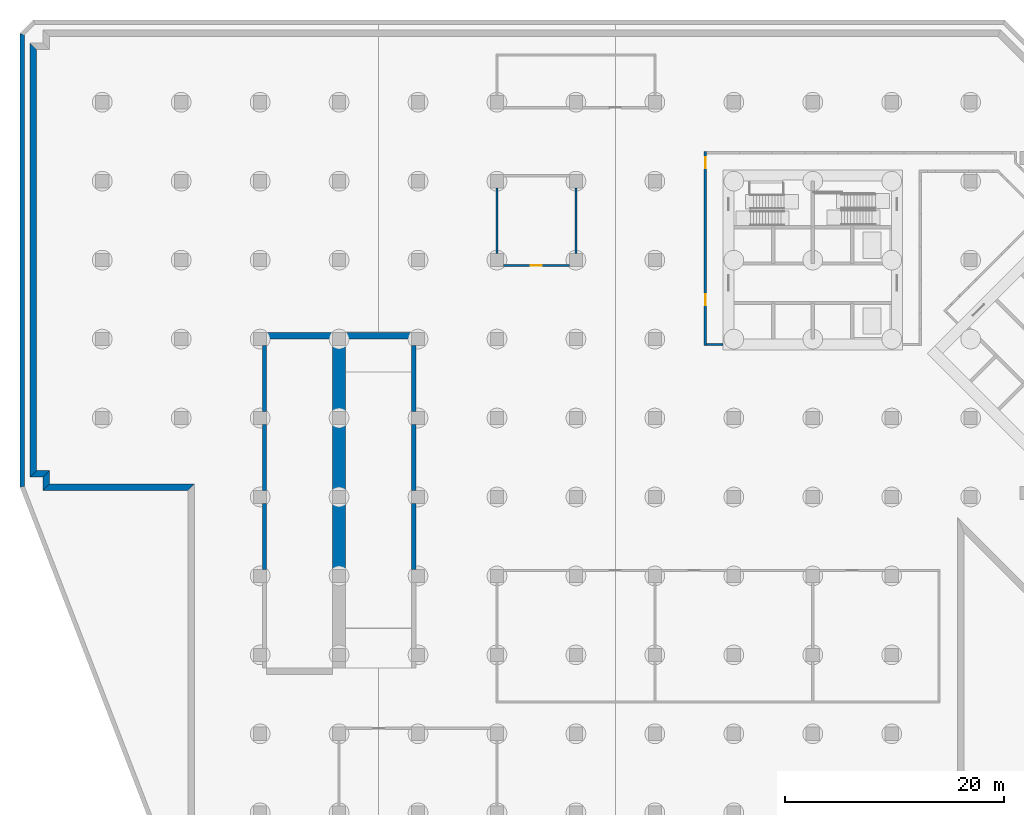
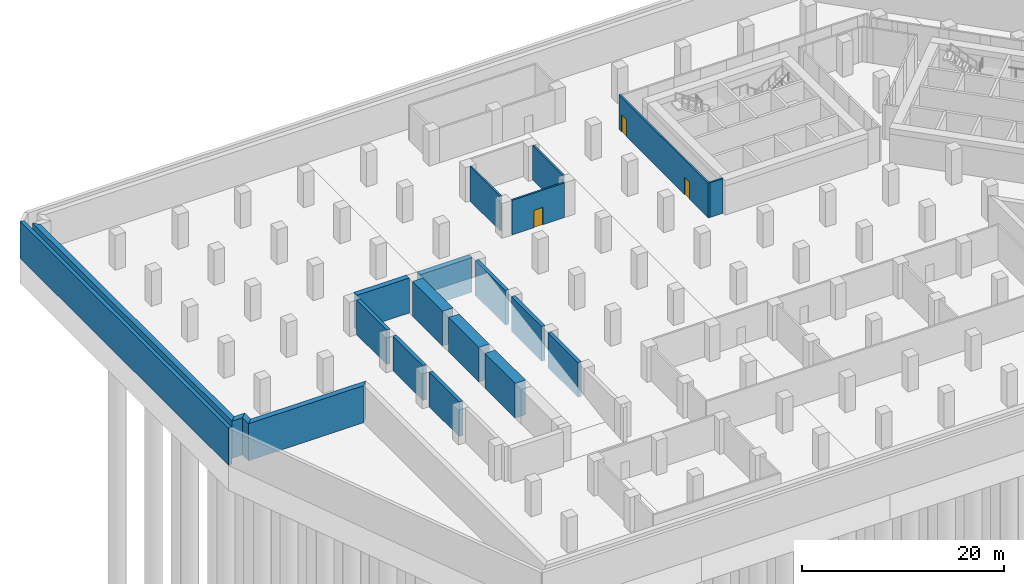
# One storey, part 4 of 12: 21 walls, 3 doors, 3 openings.
"""IFC4 building model written with IfcOpenShell, lengths in metres."""

from ifc_helpers import new_model, si_unit, direction, frame, frame_2d, origin, place, context, subcontext, project, spatial, polyline, rectangle, outline, extrude, material, layer, layer_set, type_object, element, fill, save


model = new_model("IFC4")

# Units and contexts
model_context = context("Model", 3, precision=1e-05, world=origin(), true_north=direction((0.0, 1.0)))
body_context = subcontext(model_context, "Body", "Model", "MODEL_VIEW")
ifc_project = project(units=[si_unit("LENGTHUNIT", "METRE"), si_unit("AREAUNIT", "SQUARE_METRE"), si_unit("VOLUMEUNIT", "CUBIC_METRE"), si_unit("PLANEANGLEUNIT", "RADIAN"), si_unit("MASSUNIT", "GRAM", prefix="KILO")], contexts=[model_context])

# Site, building, storey
site_placement = place(None, origin())
site = spatial("IfcSite", under=ifc_project, at=site_placement, CompositionType="ELEMENT")
building_placement = place(site_placement, origin())
building = spatial("IfcBuilding", under=site, at=building_placement, Name="Windrow Commons", CompositionType="ELEMENT")
storey_placement = place(building_placement, frame((0.0, 0.0, -9.0)))
storey = spatial("IfcBuildingStorey", under=building, at=storey_placement, Name="B2", CompositionType="ELEMENT", Elevation=-9.0)

# Wall, openings, doors
ifc_material_1 = material(Name="Blockwork partition", Category="masonry")
ifc_layer_1 = layer(ifc_material_1, 0.2)
ifc_layer_set_1 = layer_set([ifc_layer_1], Name="CP-PART-200")
wall_type_1 = type_object("IfcWallType", Name="CP-PART-200", PredefinedType="PARTITIONING", material=ifc_layer_set_1)
wall_1_placement = place(storey_placement, frame((55.0, 49.8, 0.0), z_axis=(0.0, 0.0, 1.0), x_axis=(0.0, 1.0, 0.0)))
wall_1 = element("IfcWall", 1, at=wall_1_placement, inside=storey, type_object=wall_type_1, Name="Escape corridor west wall", PredefinedType="PARTITIONING", context=body_context, shape_type="SweptSolid", body=[
    extrude(rectangle(XDim=17.7, YDim=0.2, at=frame_2d((8.85, 0.0))), origin(), (0.0, 0.0, 1.0), 4.2),
])
opening_1_placement = place(wall_1_placement, frame((16.2, 0.0, 0.0)))
opening_1 = element("IfcOpeningElement", 2, at=opening_1_placement, cuts=wall_1, Name="Opening B2-D90", PredefinedType="OPENING", context=body_context, shape_type="SweptSolid", body=[
    extrude(rectangle(XDim=1.0, YDim=2.1, at=frame_2d((0.5, 1.05))), frame((0.0, 0.11, 0.0), z_axis=(0.0, -1.0, 0.0), x_axis=(1.0, 0.0, 0.0)), (0.0, 0.0, 1.0), 0.22),
])
opening_2_placement = place(wall_1_placement, frame((3.7, 0.0, 0.0)))
opening_2 = element("IfcOpeningElement", 3, at=opening_2_placement, cuts=wall_1, Name="Opening B2-D91", PredefinedType="OPENING", context=body_context, shape_type="SweptSolid", body=[
    extrude(rectangle(XDim=1.0, YDim=2.1, at=frame_2d((0.5, 1.05))), frame((0.0, 0.11, 0.0), z_axis=(0.0, -1.0, 0.0), x_axis=(1.0, 0.0, 0.0)), (0.0, 0.0, 1.0), 0.22),
])
ifc_material_2 = material(Name="Steel fire door leaf", Category="steel")
door_type = type_object("IfcDoorType", Name="CP-DOOR-1000", OperationType="SINGLE_SWING_LEFT", PredefinedType="DOOR", material=ifc_material_2)
door_1_placement = place(opening_1_placement, origin())
door_1 = element("IfcDoor", 4, at=door_1_placement, inside=storey, type_object=door_type, Name="D-B2-ESC-WEST", OperationType="SINGLE_SWING_LEFT", OverallHeight=2.1, OverallWidth=1.0, PredefinedType="DOOR", context=body_context, shape_type="SweptSolid", body=[
    extrude(rectangle(XDim=1.0, YDim=2.1, at=frame_2d((0.5, 1.05))), frame((0.0, 0.025, 0.0), z_axis=(0.0, -1.0, 0.0), x_axis=(1.0, 0.0, 0.0)), (0.0, 0.0, 1.0), 0.05),
])
fill(opening_1, door_1)
door_2_placement = place(opening_2_placement, origin())
door_2 = element("IfcDoor", 5, at=door_2_placement, inside=storey, type_object=door_type, Name="D-B2-ESC-WEST2", OperationType="SINGLE_SWING_RIGHT", OverallHeight=2.1, OverallWidth=1.0, PredefinedType="DOOR", context=body_context, shape_type="SweptSolid", body=[
    extrude(rectangle(XDim=1.0, YDim=2.1, at=frame_2d((0.5, 1.05))), frame((0.0, 0.025, 0.0), z_axis=(0.0, -1.0, 0.0), x_axis=(1.0, 0.0, 0.0)), (0.0, 0.0, 1.0), 0.05),
])
fill(opening_2, door_2)

# Walls
wall_2_placement = place(storey_placement, frame((55.1, 49.9, 0.0), z_axis=(0.0, 0.0, 1.0), x_axis=(1.0, 0.0, 0.0)))
element("IfcWall", 6, at=wall_2_placement, inside=storey, type_object=wall_type_1, Name="Escape corridor south wall", PredefinedType="PARTITIONING", context=body_context, shape_type="SweptSolid", body=[
    extrude(rectangle(XDim=1.5, YDim=0.2, at=frame_2d((0.75, 0.0))), origin(), (0.0, 0.0, 1.0), 4.2),
])
for number, where, z_axis, x_axis, name in (
    (7, (36.0, 58.2, 0.0), (0.0, 0.0, 1.0), (0.0, 1.0, 0.0), "Plant room wall 07"),
    (8, (43.2, 58.2, 0.0), (0.0, 0.0, 1.0), (0.0, 1.0, 0.0), "Plant room wall 09"),
):
    element("IfcWall", number, at=place(storey_placement, frame(where, z_axis=z_axis, x_axis=x_axis)), inside=storey, type_object=wall_type_1, Name=name, PredefinedType="PARTITIONING", context=body_context, shape_type="SweptSolid", body=[
        extrude(rectangle(XDim=6.0, YDim=0.2, at=frame_2d((3.0, 0.0))), origin(), (0.0, 0.0, 1.0), 4.2),
    ])

# Wall, opening, door
wall_3_placement = place(storey_placement, frame((36.6, 57.1, 0.0), z_axis=(0.0, 0.0, 1.0), x_axis=(1.0, 0.0, 0.0)))
wall_3 = element("IfcWall", 9, at=wall_3_placement, inside=storey, type_object=wall_type_1, Name="Plant room wall 26", PredefinedType="PARTITIONING", context=body_context, shape_type="SweptSolid", body=[
    extrude(rectangle(XDim=6.0, YDim=0.2, at=frame_2d((3.0, 0.0))), origin(), (0.0, 0.0, 1.0), 4.2),
])
opening_3_placement = place(wall_3_placement, frame((2.5, 0.0, 0.0)))
opening_3 = element("IfcOpeningElement", 10, at=opening_3_placement, cuts=wall_3, Name="Opening B2-D55", PredefinedType="OPENING", context=body_context, shape_type="SweptSolid", body=[
    extrude(rectangle(XDim=1.0, YDim=2.1, at=frame_2d((0.5, 1.05))), frame((0.0, 0.11, 0.0), z_axis=(0.0, -1.0, 0.0), x_axis=(1.0, 0.0, 0.0)), (0.0, 0.0, 1.0), 0.22),
])
door_3_placement = place(opening_3_placement, origin())
door_3 = element("IfcDoor", 11, at=door_3_placement, inside=storey, type_object=door_type, Name="D-B2-PLANT-05", OperationType="SINGLE_SWING_RIGHT", OverallHeight=2.1, OverallWidth=1.0, PredefinedType="DOOR", context=body_context, shape_type="SweptSolid", body=[
    extrude(rectangle(XDim=1.0, YDim=2.1, at=frame_2d((0.5, 1.05))), frame((0.0, 0.025, 0.0), z_axis=(0.0, -1.0, 0.0), x_axis=(1.0, 0.0, 0.0)), (0.0, 0.0, 1.0), 0.05),
])
fill(opening_3, door_3)

# Walls
ifc_material_3 = material(Name="Concrete C40/50", Category="concrete")
ifc_layer_2 = layer(ifc_material_3, 1.2)
ifc_layer_set_2 = layer_set([ifc_layer_2], Name="CP-WALL-1200")
wall_type_2 = type_object("IfcWallType", Name="CP-WALL-1200", PredefinedType="SOLIDWALL", material=ifc_layer_set_2)
for number, where, z_axis, x_axis, name in (
    (12, (21.6, 29.4, 0.0), (0.0, 0.0, 1.0), (0.0, 1.0, 0.0), "Ramp wall D3 B2"),
    (13, (21.6, 36.6, 0.0), (0.0, 0.0, 1.0), (0.0, 1.0, 0.0), "Ramp wall D4 B2"),
    (14, (21.6, 43.8, 0.0), (0.0, 0.0, 1.0), (0.0, 1.0, 0.0), "Ramp wall D5 B2"),
):
    element("IfcWall", number, at=place(storey_placement, frame(where, z_axis=z_axis, x_axis=x_axis)), inside=storey, type_object=wall_type_2, Name=name, PredefinedType="SOLIDWALL", context=body_context, shape_type="SweptSolid", body=[
        extrude(rectangle(XDim=6.0, YDim=1.2, at=frame_2d((3.0, 0.0))), origin(), (0.0, 0.0, 1.0), 4.2),
    ])
ifc_material_4 = material(Name="Concrete C40/50", Category="concrete")
ifc_layer_3 = layer(ifc_material_4, 0.4)
ifc_layer_set_3 = layer_set([ifc_layer_3], Name="CP-WALL-400")
wall_type_3 = type_object("IfcWallType", Name="CP-WALL-400", PredefinedType="SOLIDWALL", material=ifc_layer_set_3)
for number, where, z_axis, x_axis, name in (
    (15, (14.8, 29.4, 0.0), (0.0, 0.0, 1.0), (0.0, 1.0, 0.0), "Ramp wall W3 B2"),
    (16, (14.8, 36.6, 0.0), (0.0, 0.0, 1.0), (0.0, 1.0, 0.0), "Ramp wall W4 B2"),
    (17, (14.8, 43.8, 0.0), (0.0, 0.0, 1.0), (0.0, 1.0, 0.0), "Ramp wall W5 B2"),
    (18, (28.4, 29.4, 0.0), (0.0, 0.0, 1.0), (0.0, 1.0, 0.0), "Ramp wall E3 B2"),
    (19, (28.4, 36.6, 0.0), (0.0, 0.0, 1.0), (0.0, 1.0, 0.0), "Ramp wall E4 B2"),
    (20, (28.4, 43.8, 0.0), (0.0, 0.0, 1.0), (0.0, 1.0, 0.0), "Ramp wall E5 B2"),
):
    element("IfcWall", number, at=place(storey_placement, frame(where, z_axis=z_axis, x_axis=x_axis)), inside=storey, type_object=wall_type_3, Name=name, PredefinedType="SOLIDWALL", context=body_context, shape_type="SweptSolid", body=[
        extrude(rectangle(XDim=6.0, YDim=0.4, at=frame_2d((3.0, 0.0))), origin(), (0.0, 0.0, 1.0), 4.2),
    ])
ifc_material_5 = material(Name="Concrete C40/50", Category="concrete")
ifc_layer_4 = layer(ifc_material_5, 0.6)
ifc_layer_set_4 = layer_set([ifc_layer_4], Name="CP-WALL-600")
wall_type_4 = type_object("IfcWallType", Name="CP-WALL-600", PredefinedType="SOLIDWALL", material=ifc_layer_set_4)
wall_4_placement = place(storey_placement, frame((15.0, 50.7, 0.0), z_axis=(0.0, 0.0, 1.0), x_axis=(1.0, 0.0, 0.0)))
element("IfcWall", 21, at=wall_4_placement, inside=storey, type_object=wall_type_4, Name="Ramp 1 foot wall B2", PredefinedType="SOLIDWALL", context=body_context, shape_type="SweptSolid", body=[
    extrude(rectangle(XDim=6.0, YDim=0.6, at=frame_2d((3.0, 0.0))), origin(), (0.0, 0.0, 1.0), 4.25),
])
wall_5_placement = place(storey_placement, frame((22.2, 50.7, 0.0), z_axis=(0.0, 0.0, 1.0), x_axis=(1.0, 0.0, 0.0)))
element("IfcWall", 22, at=wall_5_placement, inside=storey, type_object=wall_type_4, Name="Ramp 2 foot wall B2", PredefinedType="SOLIDWALL", context=body_context, shape_type="SweptSolid", body=[
    extrude(rectangle(XDim=6.0, YDim=0.6, at=frame_2d((3.0, 0.0))), origin(), (0.0, 0.0, 1.0), 4.2),
])
ifc_material_6 = material(Name="Concrete C40/50", Category="concrete")
ifc_layer_5 = layer(ifc_material_6, 0.4)
ifc_layer_set_5 = layer_set([ifc_layer_5], Name="RC RETAINING WALL 400 C40/50")
wall_type_5 = type_object("IfcWallType", Name="RC RETAINING WALL 400 C40/50", PredefinedType="SOLIDWALL", material=ifc_layer_set_5)
wall_6_placement = place(storey_placement, frame((-7.3, 36.9374, -0.3), z_axis=(0.0, 0.0, 1.0), x_axis=(0.0, 1.0, 0.0)))
element("IfcWall", 23, at=wall_6_placement, inside=storey, type_object=wall_type_5, Name="Retaining wall raft edge B2-003", PredefinedType="SOLIDWALL", context=body_context, shape_type="SweptSolid", body=[
    extrude(outline(polyline([(0.0187, -0.2), (41.2384, -0.2), (41.3212, 0.2), (-0.0187, 0.2), (0.0187, -0.2)])), origin(), (0.0, 0.0, 1.0), 4.5),
])
ifc_material_7 = material(Name="Concrete C40/50", Category="concrete")
ifc_layer_6 = layer(ifc_material_7, 0.6)
ifc_layer_set_6 = layer_set([ifc_layer_6], Name="RC RETAINING WALL 600 C40/50")
wall_type_6 = type_object("IfcWallType", Name="RC RETAINING WALL 600 C40/50", PredefinedType="SOLIDWALL", material=ifc_layer_set_6)
placement = place(storey_placement, frame((0.0, 0.0, -0.3)))
element("IfcWall", 24, at=placement, inside=storey, type_object=wall_type_6, Name="Retaining wall B2-01", PredefinedType="SOLIDWALL", context=body_context, shape_type="SweptSolid", body=[
    extrude(outline(polyline([(-4.8, 37.2), (8.4, 37.2), (7.8, 36.6), (-5.4, 36.6), (-4.8, 37.2)])), origin(), (0.0, 0.0, 1.0), 4.5),
])
element("IfcWall", 25, at=placement, inside=storey, type_object=wall_type_6, Name="Retaining wall B2-13", PredefinedType="SOLIDWALL", context=body_context, shape_type="SweptSolid", body=[
    extrude(outline(polyline([(-6.0, 76.8), (-6.0, 38.4), (-6.6, 37.8), (-6.6, 77.4), (-6.0, 76.8)])), origin(), (0.0, 0.0, 1.0), 4.5),
])
element("IfcWall", 26, at=placement, inside=storey, type_object=wall_type_6, Name="Retaining wall B2-14", PredefinedType="SOLIDWALL", context=body_context, shape_type="SweptSolid", body=[
    extrude(outline(polyline([(-6.0, 38.4), (-4.8, 38.4), (-5.4, 37.8), (-6.6, 37.8), (-6.0, 38.4)])), origin(), (0.0, 0.0, 1.0), 4.5),
])
element("IfcWall", 27, at=placement, inside=storey, type_object=wall_type_6, Name="Retaining wall B2-15", PredefinedType="SOLIDWALL", context=body_context, shape_type="SweptSolid", body=[
    extrude(outline(polyline([(-4.8, 38.4), (-4.8, 37.2), (-5.4, 36.6), (-5.4, 37.8), (-4.8, 38.4)])), origin(), (0.0, 0.0, 1.0), 4.5),
])

save(model, "model.ifc")
